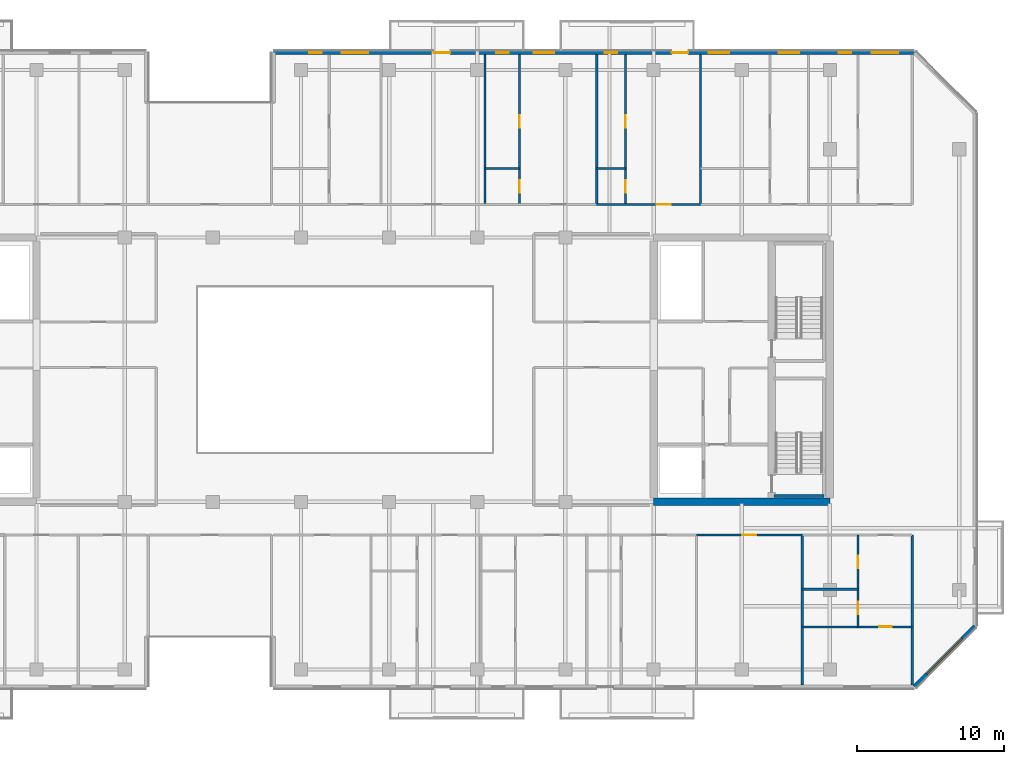
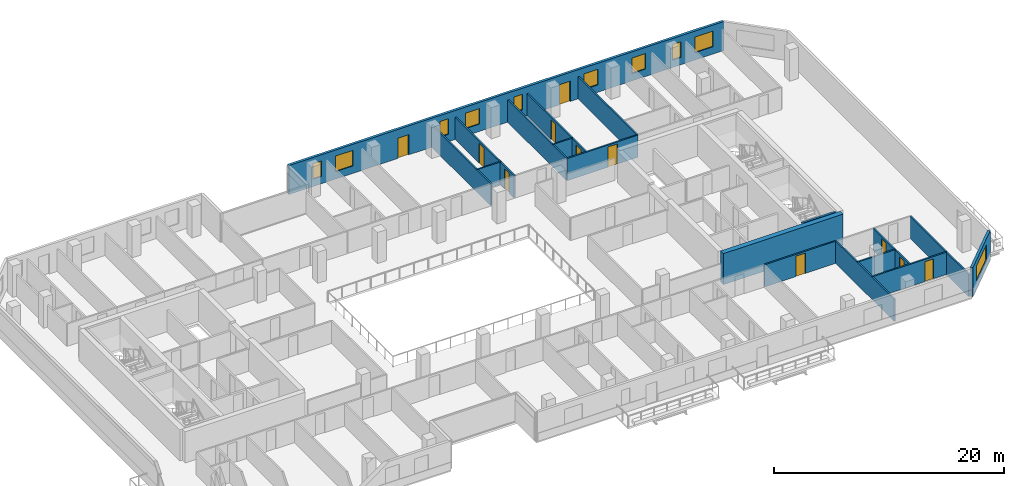
# One storey, part 13 of 19: 18 walls, 11 doors, 10 windows, 21 openings.
"""IFC4 building model written with IfcOpenShell, lengths in metres."""

import ifcopenshell
import ifcopenshell.guid

model = None  # the IFC model being written
_history = None  # IfcOwnerHistory: only IFC2X3 demands one
_inside = {}  # id of a spatial element -> (the spatial element, [elements in it])
_under = {}  # id of a project, library or spatial element -> (it, [spatial elements below it])
_declared = {}  # id of a project -> (the project, [libraries it declares])
_typed = {}  # id of a type object -> (the type object, [elements of that type])
_made_of = {}  # id of a material, layer set ... -> (it, [elements and type objects made of it])


def new_model(schema):
    """Start an empty IFC model of exactly this schema.

    Asked for "IFC4X3", IfcOpenShell would pick the latest addendum, in which some entities
    have other attributes; the version numbers below select the first issue.
    IFC2X3 requires an IfcOwnerHistory on every rooted entity: one is made here for all.
    """
    global model, _history
    if schema == "IFC4X3":
        model = ifcopenshell.file(schema_version=(4, 3, 0, 0))
    else:
        model = ifcopenshell.file(schema=schema)
    _inside.clear()
    _under.clear()
    _declared.clear()
    _typed.clear()
    _made_of.clear()
    _history = None
    if model.schema == "IFC2X3":
        org = make("IfcOrganization", Name="unknown")
        user = make(
            "IfcPersonAndOrganization",
            ThePerson=make("IfcPerson", FamilyName="unknown"),
            TheOrganization=org,
        )
        app = make(
            "IfcApplication",
            ApplicationDeveloper=org,
            Version="unknown",
            ApplicationFullName="unknown",
            ApplicationIdentifier="unknown",
        )
        _history = make(
            "IfcOwnerHistory",
            OwningUser=user,
            OwningApplication=app,
            ChangeAction="ADDED",
            CreationDate=0,
        )
    return model


def make(cls, **values):
    """One entity of the class cls with the attributes given. An attribute that is None is left unset."""
    return model.create_entity(
        cls, **{name: value for name, value in values.items() if value is not None}
    )


def rooted(cls, **values):
    """An entity with a GlobalId (a new one), such as an element, a storey or a relation."""
    return make(cls, GlobalId=ifcopenshell.guid.new(), OwnerHistory=_history, **values)


def si_unit(unit_type, name, prefix=None):
    """IfcSIUnit, for example si_unit("LENGTHUNIT", "METRE", prefix="MILLI")."""
    return make("IfcSIUnit", UnitType=unit_type, Prefix=prefix, Name=name)


def assignment(units):
    """IfcUnitAssignment: the units of a project."""
    return None if units is None else make("IfcUnitAssignment", Units=units)


def point(xyz):
    """IfcCartesianPoint."""
    return None if xyz is None else make("IfcCartesianPoint", Coordinates=xyz)


def direction(xyz):
    """IfcDirection."""
    return None if xyz is None else make("IfcDirection", DirectionRatios=xyz)


def frame(location, z_axis=None, x_axis=None):
    """IfcAxis2Placement3D, a coordinate frame: its origin and axes. An axis left out is left unset."""
    return make(
        "IfcAxis2Placement3D",
        Location=point(location),
        Axis=direction(z_axis),
        RefDirection=direction(x_axis),
    )


def frame_2d(location, x_axis=None):
    """IfcAxis2Placement2D, a coordinate frame in the plane: its origin and x axis."""
    return make(
        "IfcAxis2Placement2D", Location=point(location), RefDirection=direction(x_axis)
    )


def origin():
    """The frame at (0, 0, 0) with its axes left unset."""
    return frame((0.0, 0.0, 0.0))


def place(relative_to, where):
    """IfcLocalPlacement: puts the frame where relative to a parent placement (None: the world)."""
    return make(
        "IfcLocalPlacement", PlacementRelTo=relative_to, RelativePlacement=where
    )


def context(
    kind, dimensions, precision=None, world=None, true_north=None, identifier=None
):
    """IfcGeometricRepresentationContext, for example the 3D "Model" context."""
    return make(
        "IfcGeometricRepresentationContext",
        ContextIdentifier=identifier,
        ContextType=kind,
        CoordinateSpaceDimension=dimensions,
        Precision=precision,
        WorldCoordinateSystem=world,
        TrueNorth=true_north,
    )


def subcontext(parent, identifier, kind, view, scale=None):
    """IfcGeometricRepresentationSubContext, for example "Body" below "Model"."""
    return make(
        "IfcGeometricRepresentationSubContext",
        ContextIdentifier=identifier,
        ContextType=kind,
        ParentContext=parent,
        TargetScale=scale,
        TargetView=view,
    )


def project(units=None, contexts=None):
    """IfcProject with its units and contexts."""
    return rooted(
        "IfcProject",
        Name="project",
        RepresentationContexts=contexts,
        UnitsInContext=assignment(units),
    )


def spatial(cls, under=None, at=None, **own):
    """A site, building, storey or space (cls), placed at a placement, below another one or the project."""
    s = rooted(cls, ObjectPlacement=at, **own)
    if under is not None:
        _under.setdefault(under.id(), (under, []))[1].append(s)
    return s


def profile(cls, at=None, kind="AREA", **sizes):
    """A parametric profile (cls). Its sizes go by their IFC names, for example OverallWidth=200.0."""
    return make(cls, ProfileType=kind, Position=at, **sizes)


def rectangle(**sizes):
    """IfcRectangleProfileDef."""
    return profile("IfcRectangleProfileDef", **sizes)


def extrude(swept, where, along, depth):
    """IfcExtrudedAreaSolid: the profile swept, set in the frame where, extruded along a direction by depth."""
    return make(
        "IfcExtrudedAreaSolid",
        SweptArea=swept,
        Position=where,
        ExtrudedDirection=direction(along),
        Depth=depth,
    )


def shape(context_of_items, identifier, shape_type, items):
    """IfcShapeRepresentation: the items that make up one representation, for example the "Body"."""
    return make(
        "IfcShapeRepresentation",
        ContextOfItems=context_of_items,
        RepresentationIdentifier=identifier,
        RepresentationType=shape_type,
        Items=items,
    )


def material(Name=None, Category=None):
    """IfcMaterial."""
    return make("IfcMaterial", Name=Name, Category=Category)


def layer(
    of_material, thickness, ventilated=None, Name=None, Category=None, Priority=None
):
    """IfcMaterialLayer: one layer of a wall or slab, of a material (None: an air gap)."""
    return make(
        "IfcMaterialLayer",
        Material=of_material,
        LayerThickness=thickness,
        IsVentilated=ventilated,
        Name=Name,
        Category=Category,
        Priority=Priority,
    )


def layer_set(layers, Name=None):
    """IfcMaterialLayerSet."""
    return make("IfcMaterialLayerSet", MaterialLayers=layers, LayerSetName=Name)


def made_of(thing, what):
    """Note that an element or type object is made of a material, layer set ...; save() writes the relation."""
    if what is not None:
        _made_of.setdefault(what.id(), (what, []))[1].append(thing)
    return thing


def type_object(cls, material=None, **own):
    """A type object (cls), such as IfcWallType, which elements share."""
    return made_of(rooted(cls, **own), material)


def element(
    cls,
    number,
    at=None,
    inside=None,
    cuts=None,
    type_object=None,
    material=None,
    context=None,
    identifier="Body",
    shape_type=None,
    held_by="IfcProductDefinitionShape",
    body=None,
    shapes=None,
    **own,
):
    """One element of the class cls, such as IfcWall. Its Tag is "e" and its number.

    at: its placement. inside: the storey or other place that contains it. cuts: it is an
    opening in that element (IfcRelVoidsElement). A single representation is given by context,
    identifier, shape_type and body (its items); several are given by shapes. held_by: the class
    of the entity that holds the representations. save() writes the other relations.
    """
    e = rooted(cls, Tag="e%d" % number, ObjectPlacement=at, **own)
    if body is not None:
        shapes = [shape(context, identifier, shape_type, body)]
    if shapes is not None:
        e.Representation = make(held_by, Representations=shapes)
    if inside is not None:
        _inside.setdefault(inside.id(), (inside, []))[1].append(e)
    if cuts is not None:
        rooted(
            "IfcRelVoidsElement", RelatingBuildingElement=cuts, RelatedOpeningElement=e
        )
    if type_object is not None:
        _typed.setdefault(type_object.id(), (type_object, []))[1].append(e)
    return made_of(e, material)


def fill(opening, filler):
    """IfcRelFillsElement: the door or window that sits in an opening."""
    return rooted(
        "IfcRelFillsElement",
        RelatingOpeningElement=opening,
        RelatedBuildingElement=filler,
    )


def aggregate(whole, parts):
    """IfcRelAggregates: a whole, such as a stair, and the parts it consists of."""
    return rooted("IfcRelAggregates", RelatingObject=whole, RelatedObjects=parts)


def save(model, path):
    """Write the relations noted so far, then the file.

    IfcRelAggregates (storeys below a building ...), IfcRelContainedInSpatialStructure (elements
    in a storey), IfcRelDefinesByType, IfcRelAssociatesMaterial and IfcRelDeclares: one each for
    every whole, place, type object, material and project.
    """
    for whole, parts in _under.values():
        aggregate(whole, parts)
    for where, things in _inside.values():
        rooted(
            "IfcRelContainedInSpatialStructure",
            RelatedElements=things,
            RelatingStructure=where,
        )
    for kind, things in _typed.values():
        rooted("IfcRelDefinesByType", RelatedObjects=things, RelatingType=kind)
    for what, things in _made_of.values():
        rooted("IfcRelAssociatesMaterial", RelatedObjects=things, RelatingMaterial=what)
    for by, libraries in _declared.values():
        rooted("IfcRelDeclares", RelatingContext=by, RelatedDefinitions=libraries)
    model.write(path)


model = new_model("IFC4")

# Units and contexts
model_context = context("Model", 3, precision=1e-05, world=origin(), true_north=direction((0.0, 1.0)))
body_context = subcontext(model_context, "Body", "Model", "MODEL_VIEW")
ifc_project = project(units=[si_unit("LENGTHUNIT", "METRE"), si_unit("AREAUNIT", "SQUARE_METRE"), si_unit("VOLUMEUNIT", "CUBIC_METRE"), si_unit("PLANEANGLEUNIT", "RADIAN"), si_unit("MASSUNIT", "GRAM", prefix="KILO")], contexts=[model_context])

# Site, building, storey
site_placement = place(None, origin())
site = spatial("IfcSite", under=ifc_project, at=site_placement, CompositionType="ELEMENT")
building_placement = place(site_placement, origin())
building = spatial("IfcBuilding", under=site, at=building_placement, Name="Tanjung Sevakor Pilgrim Tower", CompositionType="ELEMENT")
storey_placement = place(building_placement, frame((0.0, 0.0, 138.60009765625)))
storey = spatial("IfcBuildingStorey", under=building, at=storey_placement, Name="L38", CompositionType="ELEMENT", Elevation=138.60009765625)

# Walls
ifc_material_1 = material(Name="Concrete C60/75", Category="concrete")
ifc_layer_1 = layer(ifc_material_1, 0.5)
ifc_layer_set_1 = layer_set([ifc_layer_1], Name="WALL-CW-500")
wall_type_1 = type_object("IfcWallType", Name="WALL-CW-500", PredefinedType="SHEAR", material=ifc_layer_set_1)
wall_1_placement = place(storey_placement, frame((78.0, 24.60009765625, 0.0), z_axis=(0.0, 0.0, 1.0), x_axis=(1.0, 0.0, 0.0)))
element("IfcWall", 1, at=wall_1_placement, inside=storey, type_object=wall_type_1, Name="L38 E Core South Shear Wall", PredefinedType="SHEAR", context=body_context, shape_type="SweptSolid", body=[
    extrude(rectangle(XDim=12.0, YDim=0.5, at=frame_2d((6.0, 0.0))), origin(), (0.0, 0.0, 1.0), 3.2998046875),
])
ifc_material_2 = material(Name="Concrete C40/50", Category="concrete")
ifc_layer_2 = layer(ifc_material_2, 0.14990234375)
ifc_layer_set_2 = layer_set([ifc_layer_2], Name="WT-COMP-150")
wall_type_2 = type_object("IfcWallType", Name="WT-COMP-150", PredefinedType="SOLIDWALL", material=ifc_layer_set_2)
for number, where, z_axis, x_axis, name in (
    (2, (95.60009765625, 12.14990234375, 0.0), (0.0, 0.0, 1.0), (0.0, 1.0, 0.0), "L38 Partition IW-L38-047"),
    (3, (88.12255859375, 12.14990234375, 0.0), (0.0, 0.0, 1.0), (0.0, 1.0, 0.0), "L38 Partition IW-L38-062"),
):
    element("IfcWall", number, at=place(storey_placement, frame(where, z_axis=z_axis, x_axis=x_axis)), inside=storey, type_object=wall_type_2, Name=name, PredefinedType="SOLIDWALL", context=body_context, shape_type="SweptSolid", body=[
        extrude(rectangle(XDim=10.2001953125, YDim=0.14990234375, at=frame_2d((5.10009765625, 0.0))), origin(), (0.0, 0.0, 1.0), 2.35009765625),
    ])

# Wall, opening, door
wall_2_placement = place(storey_placement, frame((80.922119140625, 22.35009765625, 0.0), z_axis=(0.0, 0.0, 1.0), x_axis=(1.0, 0.0, 0.0)))
wall_2 = element("IfcWall", 4, at=wall_2_placement, inside=storey, type_object=wall_type_2, Name="L38 Partition IW-L38-063", PredefinedType="SOLIDWALL", context=body_context, shape_type="SweptSolid", body=[
    extrude(rectangle(XDim=7.200439453125, YDim=0.14990234375, at=frame_2d((3.60009765625, 0.0))), origin(), (0.0, 0.0, 1.0), 2.35009765625),
])
opening_1_placement = place(wall_2_placement, frame((3.125244140625, 0.0, 0.0)))
opening_1 = element("IfcOpeningElement", 5, at=opening_1_placement, cuts=wall_2, Name="Opening ID-FD2", PredefinedType="OPENING", context=body_context, shape_type="SweptSolid", body=[
    extrude(rectangle(XDim=0.949951171875, YDim=2.14990234375, at=frame_2d((0.47509765625, 1.074951171875))), frame((0.0, 0.0849609375, 0.0), z_axis=(0.0, -1.0, 0.0), x_axis=(1.0, 0.0, 0.0)), (0.0, 0.0, 1.0), 0.169921875),
])
ifc_material_3 = material(Name="Fire-Rated Timber", Category="wood")
door_type_1 = type_object("IfcDoorType", Name="DT-FIRE-950", OperationType="NOTDEFINED", PredefinedType="DOOR", material=ifc_material_3)
door_1_placement = place(opening_1_placement, origin())
door_1 = element("IfcDoor", 6, at=door_1_placement, inside=storey, type_object=door_type_1, Name="Study Room Entrance", OperationType="SINGLE_SWING_LEFT", OverallHeight=2.14990234375, OverallWidth=0.949951171875, PredefinedType="DOOR", context=body_context, shape_type="SweptSolid", body=[
    extrude(rectangle(XDim=0.949951171875, YDim=2.14990234375, at=frame_2d((0.47509765625, 1.074951171875))), frame((0.0, 0.02490234375, 0.0), z_axis=(0.0, -1.0, 0.0), x_axis=(1.0, 0.0, 0.0)), (0.0, 0.0, 1.0), 0.050048828125),
])
fill(opening_1, door_1)

# Walls
for number, where, z_axis, x_axis, name in (
    (7, (66.522705078125, 44.85009765625, 0.0), (0.0, 0.0, 1.0), (0.0, 1.0, 0.0), "L38 Partition IW-L38-083"),
    (8, (74.131591796875, 44.85009765625, 0.0), (0.0, 0.0, 1.0), (0.0, 1.0, 0.0), "L38 Partition IW-L38-085"),
    (9, (81.197265625, 44.85009765625, 0.0), (0.0, 0.0, 1.0), (0.0, 1.0, 0.0), "L38 Partition IW-L38-089"),
):
    element("IfcWall", number, at=place(storey_placement, frame(where, z_axis=z_axis, x_axis=x_axis)), inside=storey, type_object=wall_type_2, Name=name, PredefinedType="SOLIDWALL", context=body_context, shape_type="SweptSolid", body=[
        extrude(rectangle(XDim=10.199951171875, YDim=0.14990234375, at=frame_2d((5.10009765625, 0.0))), origin(), (0.0, 0.0, 1.0), 2.35009765625),
    ])

# Wall, opening, door
wall_3_placement = place(storey_placement, frame((74.131591796875, 44.85009765625, 0.0), z_axis=(0.0, 0.0, 1.0), x_axis=(1.0, 0.0, 0.0)))
wall_3 = element("IfcWall", 10, at=wall_3_placement, inside=storey, type_object=wall_type_2, Name="L38 Partition IW-L38-092", PredefinedType="SOLIDWALL", context=body_context, shape_type="SweptSolid", body=[
    extrude(rectangle(XDim=7.065673828125, YDim=0.14990234375, at=frame_2d((3.53271484375, 0.0))), origin(), (0.0, 0.0, 1.0), 2.35009765625),
])
opening_2_placement = place(wall_3_placement, frame((4.072021484375, 0.0, 0.0)))
opening_2 = element("IfcOpeningElement", 11, at=opening_2_placement, cuts=wall_3, Name="Opening ID-FD2", PredefinedType="OPENING", context=body_context, shape_type="SweptSolid", body=[
    extrude(rectangle(XDim=0.949951171875, YDim=2.14990234375, at=frame_2d((0.47509765625, 1.074951171875))), frame((0.0, 0.0849609375, 0.0), z_axis=(0.0, -1.0, 0.0), x_axis=(1.0, 0.0, 0.0)), (0.0, 0.0, 1.0), 0.169921875),
])
door_2_placement = place(opening_2_placement, origin())
door_2 = element("IfcDoor", 12, at=door_2_placement, inside=storey, type_object=door_type_1, Name="Hostel Quad Entrance", OperationType="SINGLE_SWING_LEFT", OverallHeight=2.14990234375, OverallWidth=0.949951171875, PredefinedType="DOOR", context=body_context, shape_type="SweptSolid", body=[
    extrude(rectangle(XDim=0.949951171875, YDim=2.14990234375, at=frame_2d((0.47509765625, 1.074951171875))), frame((0.0, 0.02490234375, 0.0), z_axis=(0.0, -1.0, 0.0), x_axis=(1.0, 0.0, 0.0)), (0.0, 0.0, 1.0), 0.050048828125),
])
fill(opening_2, door_2)

# Wall, opening, window
ifc_material_4 = material(Name="Precast concrete C45/55", Category="concrete")
ifc_layer_3 = layer(ifc_material_4, 0.25)
ifc_layer_set_3 = layer_set([ifc_layer_3], Name="WT-EW-STN3")
wall_type_3 = type_object("IfcWallType", Name="WT-EW-STN3", PredefinedType="SOLIDWALL", material=ifc_layer_set_3)
wall_4_placement = place(storey_placement, frame((95.748291015625, 12.02490234375, 0.0), z_axis=(0.0, 0.0, 1.0), x_axis=(0.70708586489, 0.707127696864, 0.0)))
wall_4 = element("IfcWall", 13, at=wall_4_placement, inside=storey, type_object=wall_type_3, Name="L38 MAIN Sculpted Corner Wall 5", PredefinedType="SOLIDWALL", context=body_context, shape_type="SweptSolid", body=[
    extrude(rectangle(XDim=5.836181640625, YDim=0.25, at=frame_2d((2.91796875, 0.0))), origin(), (0.0, 0.0, 1.0), 3.080078125),
])
opening_3_placement = place(wall_4_placement, frame((1.218017578125, 0.0, 0.780029296875)))
opening_3 = element("IfcOpeningElement", 14, at=opening_3_placement, cuts=wall_4, Name="Opening WN-CHM-1660", PredefinedType="OPENING", context=body_context, shape_type="SweptSolid", body=[
    extrude(rectangle(XDim=3.39990234375, YDim=1.659912109375, at=frame_2d((1.699951171875, 0.830078125))), frame((0.0, 0.135009765625, 0.0), z_axis=(0.0, -1.0, 0.0), x_axis=(1.0, 0.0, 0.0)), (0.0, 0.0, 1.0), 0.27001953125),
])
ifc_material_5 = material(Name="Thermally Broken Aluminium and Low-E Glass", Category="aluminium")
window_type_1 = type_object("IfcWindowType", Name="WTYP-WN-CHM-1660", PartitioningType="DOUBLE_PANEL_VERTICAL", PredefinedType="WINDOW", material=ifc_material_5)
window_1_placement = place(opening_3_placement, origin())
window_1 = element("IfcWindow", 15, at=window_1_placement, inside=storey, type_object=window_type_1, Name="L38 Facade Window 01", OverallHeight=1.659912109375, OverallWidth=3.39990234375, PartitioningType="SINGLE_PANEL", PredefinedType="WINDOW", context=body_context, shape_type="SweptSolid", body=[
    extrude(rectangle(XDim=3.39990234375, YDim=1.659912109375, at=frame_2d((1.699951171875, 0.830078125))), frame((0.0, 0.030029296875, 0.0), z_axis=(0.0, -1.0, 0.0), x_axis=(1.0, 0.0, 0.0)), (0.0, 0.0, 1.0), 0.06005859375),
])
fill(opening_3, window_1)

# Wall, openings, doors, windows
wall_5_placement = place(storey_placement, frame((95.748291015625, 55.175048828125, 0.0), z_axis=(0.0, 0.0, 1.0), x_axis=(-1.0, 0.0, 0.0)))
wall_5 = element("IfcWall", 16, at=wall_5_placement, inside=storey, type_object=wall_type_3, Name="L38 MAIN Exterior Wall 9", PredefinedType="SOLIDWALL", context=body_context, shape_type="SweptSolid", body=[
    extrude(rectangle(XDim=43.623291015625, YDim=0.25, at=frame_2d((21.8115234375, 0.0))), origin(), (0.0, 0.0, 1.0), 3.080078125),
])
opening_4_placement = place(wall_5_placement, frame((31.59814453125, 0.0, 0.0)))
opening_4 = element("IfcOpeningElement", 17, at=opening_4_placement, cuts=wall_5, Name="Opening ED-BAL-1100", PredefinedType="OPENING", context=body_context, shape_type="SweptSolid", body=[
    extrude(rectangle(XDim=1.10009765625, YDim=2.14990234375, at=frame_2d((0.550048828125, 1.074951171875))), frame((0.0, 0.135009765625, 0.0), z_axis=(0.0, -1.0, 0.0), x_axis=(1.0, 0.0, 0.0)), (0.0, 0.0, 1.0), 0.27001953125),
])
opening_5_placement = place(wall_5_placement, frame((15.398193359375, 0.0, 0.0)))
opening_5 = element("IfcOpeningElement", 18, at=opening_5_placement, cuts=wall_5, Name="Opening ED-BAL-1100", PredefinedType="OPENING", context=body_context, shape_type="SweptSolid", body=[
    extrude(rectangle(XDim=1.10009765625, YDim=2.14990234375, at=frame_2d((0.550048828125, 1.074951171875))), frame((0.0, 0.135009765625, 0.0), z_axis=(0.0, -1.0, 0.0), x_axis=(1.0, 0.0, 0.0)), (0.0, 0.0, 1.0), 0.27001953125),
])
opening_6_placement = place(wall_5_placement, frame((40.333251953125, 0.0, 0.780029296875)))
opening_6 = element("IfcOpeningElement", 19, at=opening_6_placement, cuts=wall_5, Name="Opening WN-SLM", PredefinedType="OPENING", context=body_context, shape_type="SweptSolid", body=[
    extrude(rectangle(XDim=0.85009765625, YDim=1.64990234375, at=frame_2d((0.425048828125, 0.824951171875))), frame((0.0, 0.135009765625, 0.0), z_axis=(0.0, -1.0, 0.0), x_axis=(1.0, 0.0, 0.0)), (0.0, 0.0, 1.0), 0.27001953125),
])
opening_7_placement = place(wall_5_placement, frame((37.169677734375, 0.0, 0.780029296875)))
opening_7 = element("IfcOpeningElement", 20, at=opening_7_placement, cuts=wall_5, Name="Opening WN-Z3-1660", PredefinedType="OPENING", context=body_context, shape_type="SweptSolid", body=[
    extrude(rectangle(XDim=1.800048828125, YDim=1.659912109375, at=frame_2d((0.89990234375, 0.830078125))), frame((0.0, 0.135009765625, 0.0), z_axis=(0.0, -1.0, 0.0), x_axis=(1.0, 0.0, 0.0)), (0.0, 0.0, 1.0), 0.27001953125),
])
opening_8_placement = place(wall_5_placement, frame((27.615478515625, 0.0, 0.780029296875)))
opening_8 = element("IfcOpeningElement", 21, at=opening_8_placement, cuts=wall_5, Name="Opening WN-SLM", PredefinedType="OPENING", context=body_context, shape_type="SweptSolid", body=[
    extrude(rectangle(XDim=0.85009765625, YDim=1.64990234375, at=frame_2d((0.425048828125, 0.824951171875))), frame((0.0, 0.135009765625, 0.0), z_axis=(0.0, -1.0, 0.0), x_axis=(1.0, 0.0, 0.0)), (0.0, 0.0, 1.0), 0.27001953125),
])
opening_9_placement = place(wall_5_placement, frame((24.51611328125, 0.0, 0.780029296875)))
opening_9 = element("IfcOpeningElement", 22, at=opening_9_placement, cuts=wall_5, Name="Opening WN-END", PredefinedType="OPENING", context=body_context, shape_type="SweptSolid", body=[
    extrude(rectangle(XDim=1.39990234375, YDim=1.64990234375, at=frame_2d((0.699951171875, 0.824951171875))), frame((0.0, 0.135009765625, 0.0), z_axis=(0.0, -1.0, 0.0), x_axis=(1.0, 0.0, 0.0)), (0.0, 0.0, 1.0), 0.27001953125),
])
opening_10_placement = place(wall_5_placement, frame((20.20751953125, 0.0, 0.780029296875)))
opening_10 = element("IfcOpeningElement", 23, at=opening_10_placement, cuts=wall_5, Name="Opening WN-SLM", PredefinedType="OPENING", context=body_context, shape_type="SweptSolid", body=[
    extrude(rectangle(XDim=0.85009765625, YDim=1.64990234375, at=frame_2d((0.425048828125, 0.824951171875))), frame((0.0, 0.135009765625, 0.0), z_axis=(0.0, -1.0, 0.0), x_axis=(1.0, 0.0, 0.0)), (0.0, 0.0, 1.0), 0.27001953125),
])
opening_11_placement = place(wall_5_placement, frame((12.599609375, 0.0, 0.780029296875)))
opening_11 = element("IfcOpeningElement", 24, at=opening_11_placement, cuts=wall_5, Name="Opening WN-END", PredefinedType="OPENING", context=body_context, shape_type="SweptSolid", body=[
    extrude(rectangle(XDim=1.39990234375, YDim=1.64990234375, at=frame_2d((0.699951171875, 0.824951171875))), frame((0.0, 0.135009765625, 0.0), z_axis=(0.0, -1.0, 0.0), x_axis=(1.0, 0.0, 0.0)), (0.0, 0.0, 1.0), 0.27001953125),
])
opening_12_placement = place(wall_5_placement, frame((7.8310546875, 0.0, 0.780029296875)))
opening_12 = element("IfcOpeningElement", 25, at=opening_12_placement, cuts=wall_5, Name="Opening WN-END", PredefinedType="OPENING", context=body_context, shape_type="SweptSolid", body=[
    extrude(rectangle(XDim=1.39990234375, YDim=1.64990234375, at=frame_2d((0.699951171875, 0.824951171875))), frame((0.0, 0.135009765625, 0.0), z_axis=(0.0, -1.0, 0.0), x_axis=(1.0, 0.0, 0.0)), (0.0, 0.0, 1.0), 0.27001953125),
])
opening_13_placement = place(wall_5_placement, frame((4.285888671875, 0.0, 0.780029296875)))
opening_13 = element("IfcOpeningElement", 26, at=opening_13_placement, cuts=wall_5, Name="Opening WN-SLM", PredefinedType="OPENING", context=body_context, shape_type="SweptSolid", body=[
    extrude(rectangle(XDim=0.85009765625, YDim=1.64990234375, at=frame_2d((0.425048828125, 0.824951171875))), frame((0.0, 0.135009765625, 0.0), z_axis=(0.0, -1.0, 0.0), x_axis=(1.0, 0.0, 0.0)), (0.0, 0.0, 1.0), 0.27001953125),
])
opening_14_placement = place(wall_5_placement, frame((1.09814453125, 0.0, 0.780029296875)))
opening_14 = element("IfcOpeningElement", 27, at=opening_14_placement, cuts=wall_5, Name="Opening WN-Z3-1660", PredefinedType="OPENING", context=body_context, shape_type="SweptSolid", body=[
    extrude(rectangle(XDim=1.800048828125, YDim=1.659912109375, at=frame_2d((0.89990234375, 0.830078125))), frame((0.0, 0.135009765625, 0.0), z_axis=(0.0, -1.0, 0.0), x_axis=(1.0, 0.0, 0.0)), (0.0, 0.0, 1.0), 0.27001953125),
])
ifc_material_6 = material(Name="Anodised Aluminium and Laminated Glass", Category="aluminium")
door_type_2 = type_object("IfcDoorType", Name="DTYP-ED-BAL-1100", OperationType="NOTDEFINED", PredefinedType="DOOR", material=ifc_material_6)
door_3_placement = place(opening_4_placement, frame((1.10009765625, 0.0, 0.0), z_axis=(0.0, 0.0, 1.0), x_axis=(-1.0, 0.0, 0.0)))
door_3 = element("IfcDoor", 28, at=door_3_placement, inside=storey, type_object=door_type_2, Name="L38 Balcony Door MAIN-N2", OperationType="SINGLE_SWING_RIGHT", OverallHeight=2.14990234375, OverallWidth=1.10009765625, PredefinedType="DOOR", context=body_context, shape_type="SweptSolid", body=[
    extrude(rectangle(XDim=1.10009765625, YDim=2.14990234375, at=frame_2d((0.550048828125, 1.074951171875))), frame((0.0, 0.02490234375, 0.0), z_axis=(0.0, -1.0, 0.0), x_axis=(1.0, 0.0, 0.0)), (0.0, 0.0, 1.0), 0.050048828125),
])
fill(opening_4, door_3)
door_4_placement = place(opening_5_placement, frame((1.10009765625, 0.0, 0.0), z_axis=(0.0, 0.0, 1.0), x_axis=(-1.0, 0.0, 0.0)))
door_4 = element("IfcDoor", 29, at=door_4_placement, inside=storey, type_object=door_type_2, Name="L38 Balcony Door MAIN-N3", OperationType="SINGLE_SWING_LEFT", OverallHeight=2.14990234375, OverallWidth=1.10009765625, PredefinedType="DOOR", context=body_context, shape_type="SweptSolid", body=[
    extrude(rectangle(XDim=1.10009765625, YDim=2.14990234375, at=frame_2d((0.550048828125, 1.074951171875))), frame((0.0, 0.02490234375, 0.0), z_axis=(0.0, -1.0, 0.0), x_axis=(1.0, 0.0, 0.0)), (0.0, 0.0, 1.0), 0.050048828125),
])
fill(opening_5, door_4)
ifc_material_7 = material(Name="Thermally Broken Aluminium and Low-E Glass", Category="aluminium")
window_type_2 = type_object("IfcWindowType", Name="WTYP-WN-END", PartitioningType="SINGLE_PANEL", PredefinedType="WINDOW", material=ifc_material_7)
window_2_placement = place(opening_9_placement, origin())
window_2 = element("IfcWindow", 30, at=window_2_placement, inside=storey, type_object=window_type_2, Name="L38 Facade Window 04", OverallHeight=1.64990234375, OverallWidth=1.39990234375, PartitioningType="SINGLE_PANEL", PredefinedType="WINDOW", context=body_context, shape_type="SweptSolid", body=[
    extrude(rectangle(XDim=1.39990234375, YDim=1.64990234375, at=frame_2d((0.699951171875, 0.824951171875))), frame((0.0, 0.030029296875, 0.0), z_axis=(0.0, -1.0, 0.0), x_axis=(1.0, 0.0, 0.0)), (0.0, 0.0, 1.0), 0.06005859375),
])
fill(opening_9, window_2)
window_3_placement = place(opening_11_placement, origin())
window_3 = element("IfcWindow", 31, at=window_3_placement, inside=storey, type_object=window_type_2, Name="L38 Facade Window 06", OverallHeight=1.64990234375, OverallWidth=1.39990234375, PartitioningType="SINGLE_PANEL", PredefinedType="WINDOW", context=body_context, shape_type="SweptSolid", body=[
    extrude(rectangle(XDim=1.39990234375, YDim=1.64990234375, at=frame_2d((0.699951171875, 0.824951171875))), frame((0.0, 0.030029296875, 0.0), z_axis=(0.0, -1.0, 0.0), x_axis=(1.0, 0.0, 0.0)), (0.0, 0.0, 1.0), 0.06005859375),
])
fill(opening_11, window_3)
window_4_placement = place(opening_12_placement, origin())
window_4 = element("IfcWindow", 32, at=window_4_placement, inside=storey, type_object=window_type_2, Name="L38 Facade Window 07", OverallHeight=1.64990234375, OverallWidth=1.39990234375, PartitioningType="SINGLE_PANEL", PredefinedType="WINDOW", context=body_context, shape_type="SweptSolid", body=[
    extrude(rectangle(XDim=1.39990234375, YDim=1.64990234375, at=frame_2d((0.699951171875, 0.824951171875))), frame((0.0, 0.030029296875, 0.0), z_axis=(0.0, -1.0, 0.0), x_axis=(1.0, 0.0, 0.0)), (0.0, 0.0, 1.0), 0.06005859375),
])
fill(opening_12, window_4)
ifc_material_8 = material(Name="Thermally Broken Aluminium and Low-E Glass", Category="aluminium")
window_type_3 = type_object("IfcWindowType", Name="WTYP-WN-SLM", PartitioningType="SINGLE_PANEL", PredefinedType="WINDOW", material=ifc_material_8)
window_5_placement = place(opening_6_placement, origin())
window_5 = element("IfcWindow", 33, at=window_5_placement, inside=storey, type_object=window_type_3, Name="L38 Facade Window 01", OverallHeight=1.64990234375, OverallWidth=0.85009765625, PartitioningType="SINGLE_PANEL", PredefinedType="WINDOW", context=body_context, shape_type="SweptSolid", body=[
    extrude(rectangle(XDim=0.85009765625, YDim=1.64990234375, at=frame_2d((0.425048828125, 0.824951171875))), frame((0.0, 0.030029296875, 0.0), z_axis=(0.0, -1.0, 0.0), x_axis=(1.0, 0.0, 0.0)), (0.0, 0.0, 1.0), 0.06005859375),
])
fill(opening_6, window_5)
window_6_placement = place(opening_8_placement, origin())
window_6 = element("IfcWindow", 34, at=window_6_placement, inside=storey, type_object=window_type_3, Name="L38 Facade Window 03", OverallHeight=1.64990234375, OverallWidth=0.85009765625, PartitioningType="SINGLE_PANEL", PredefinedType="WINDOW", context=body_context, shape_type="SweptSolid", body=[
    extrude(rectangle(XDim=0.85009765625, YDim=1.64990234375, at=frame_2d((0.425048828125, 0.824951171875))), frame((0.0, 0.030029296875, 0.0), z_axis=(0.0, -1.0, 0.0), x_axis=(1.0, 0.0, 0.0)), (0.0, 0.0, 1.0), 0.06005859375),
])
fill(opening_8, window_6)
window_7_placement = place(opening_10_placement, origin())
window_7 = element("IfcWindow", 35, at=window_7_placement, inside=storey, type_object=window_type_3, Name="L38 Facade Window 05", OverallHeight=1.64990234375, OverallWidth=0.85009765625, PartitioningType="SINGLE_PANEL", PredefinedType="WINDOW", context=body_context, shape_type="SweptSolid", body=[
    extrude(rectangle(XDim=0.85009765625, YDim=1.64990234375, at=frame_2d((0.425048828125, 0.824951171875))), frame((0.0, 0.030029296875, 0.0), z_axis=(0.0, -1.0, 0.0), x_axis=(1.0, 0.0, 0.0)), (0.0, 0.0, 1.0), 0.06005859375),
])
fill(opening_10, window_7)
window_8_placement = place(opening_13_placement, origin())
window_8 = element("IfcWindow", 36, at=window_8_placement, inside=storey, type_object=window_type_3, Name="L38 Facade Window 08", OverallHeight=1.64990234375, OverallWidth=0.85009765625, PartitioningType="SINGLE_PANEL", PredefinedType="WINDOW", context=body_context, shape_type="SweptSolid", body=[
    extrude(rectangle(XDim=0.85009765625, YDim=1.64990234375, at=frame_2d((0.425048828125, 0.824951171875))), frame((0.0, 0.030029296875, 0.0), z_axis=(0.0, -1.0, 0.0), x_axis=(1.0, 0.0, 0.0)), (0.0, 0.0, 1.0), 0.06005859375),
])
fill(opening_13, window_8)
ifc_material_9 = material(Name="Thermally Broken Aluminium and Low-E Glass", Category="aluminium")
window_type_4 = type_object("IfcWindowType", Name="WTYP-WN-Z3-1660", PartitioningType="DOUBLE_PANEL_VERTICAL", PredefinedType="WINDOW", material=ifc_material_9)
window_9_placement = place(opening_7_placement, origin())
window_9 = element("IfcWindow", 37, at=window_9_placement, inside=storey, type_object=window_type_4, Name="L38 Facade Window 02", OverallHeight=1.659912109375, OverallWidth=1.800048828125, PartitioningType="SINGLE_PANEL", PredefinedType="WINDOW", context=body_context, shape_type="SweptSolid", body=[
    extrude(rectangle(XDim=1.800048828125, YDim=1.659912109375, at=frame_2d((0.89990234375, 0.830078125))), frame((0.0, 0.030029296875, 0.0), z_axis=(0.0, -1.0, 0.0), x_axis=(1.0, 0.0, 0.0)), (0.0, 0.0, 1.0), 0.06005859375),
])
fill(opening_7, window_9)
window_10_placement = place(opening_14_placement, origin())
window_10 = element("IfcWindow", 38, at=window_10_placement, inside=storey, type_object=window_type_4, Name="L38 Facade Window 09", OverallHeight=1.659912109375, OverallWidth=1.800048828125, PartitioningType="SINGLE_PANEL", PredefinedType="WINDOW", context=body_context, shape_type="SweptSolid", body=[
    extrude(rectangle(XDim=1.800048828125, YDim=1.659912109375, at=frame_2d((0.89990234375, 0.830078125))), frame((0.0, 0.030029296875, 0.0), z_axis=(0.0, -1.0, 0.0), x_axis=(1.0, 0.0, 0.0)), (0.0, 0.0, 1.0), 0.06005859375),
])
fill(opening_14, window_10)

# Walls
ifc_material_10 = material(Name="Concrete C40/50", Category="concrete")
ifc_layer_4 = layer(ifc_material_10, 0.199951171875)
ifc_layer_set_4 = layer_set([ifc_layer_4], Name="WT-FIRE-200")
wall_type_4 = type_object("IfcWallType", Name="WT-FIRE-200", PredefinedType="SOLIDWALL", material=ifc_layer_set_4)
wall_6_placement = place(storey_placement, frame((86.199951171875, 25.0, 0.0), z_axis=(0.0, 0.0, 1.0), x_axis=(1.0, 0.0, 0.0)))
element("IfcWall", 39, at=wall_6_placement, inside=storey, type_object=wall_type_4, Name="L38 TS-E1 Shaft Wall 1", PredefinedType="SOLIDWALL", context=body_context, shape_type="SweptSolid", body=[
    extrude(rectangle(XDim=3.400146484375, YDim=0.199951171875, at=frame_2d((1.7001953125, 0.0))), origin(), (0.0, 0.0, 1.0), 3.2998046875),
])
ifc_material_11 = material(Name="Gypsum Board Partition", Category="gypsum board")
ifc_layer_5 = layer(ifc_material_11, 0.14990234375)
ifc_layer_set_5 = layer_set([ifc_layer_5], Name="WT-PART-150")
wall_type_5 = type_object("IfcWallType", Name="WT-PART-150", PredefinedType="PARTITIONING", material=ifc_layer_set_5)
wall_7_placement = place(storey_placement, frame((88.12255859375, 18.65966796875, 0.0), z_axis=(0.0, 0.0, 1.0), x_axis=(1.0, 0.0, 0.0)))
element("IfcWall", 40, at=wall_7_placement, inside=storey, type_object=wall_type_5, Name="L38 Partition IW-L38-064", PredefinedType="PARTITIONING", context=body_context, shape_type="SweptSolid", body=[
    extrude(rectangle(XDim=3.79736328125, YDim=0.14990234375, at=frame_2d((1.898681640625, 0.0))), origin(), (0.0, 0.0, 1.0), 2.35009765625),
])

# Wall, openings, doors
wall_8_placement = place(storey_placement, frame((91.919921875, 16.09521484375, 0.0), z_axis=(0.0, 0.0, 1.0), x_axis=(0.0, 1.0, 0.0)))
wall_8 = element("IfcWall", 41, at=wall_8_placement, inside=storey, type_object=wall_type_5, Name="L38 Partition IW-L38-065", PredefinedType="PARTITIONING", context=body_context, shape_type="SweptSolid", body=[
    extrude(rectangle(XDim=6.2548828125, YDim=0.14990234375, at=frame_2d((3.12744140625, 0.0))), origin(), (0.0, 0.0, 1.0), 2.35009765625),
])
opening_15_placement = place(wall_8_placement, frame((0.857421875, 0.0, 0.0)))
opening_15 = element("IfcOpeningElement", 42, at=opening_15_placement, cuts=wall_8, Name="Opening ID-WC1", PredefinedType="OPENING", context=body_context, shape_type="SweptSolid", body=[
    extrude(rectangle(XDim=0.85009765625, YDim=2.10009765625, at=frame_2d((0.425048828125, 1.050048828125))), frame((0.0, 0.0849609375, 0.0), z_axis=(0.0, -1.0, 0.0), x_axis=(1.0, 0.0, 0.0)), (0.0, 0.0, 1.0), 0.169921875),
])
opening_16_placement = place(wall_8_placement, frame((3.984619140625, 0.0, 0.0)))
opening_16 = element("IfcOpeningElement", 43, at=opening_16_placement, cuts=wall_8, Name="Opening ID-WC1", PredefinedType="OPENING", context=body_context, shape_type="SweptSolid", body=[
    extrude(rectangle(XDim=0.85009765625, YDim=2.10009765625, at=frame_2d((0.425048828125, 1.050048828125))), frame((0.0, 0.0849609375, 0.0), z_axis=(0.0, -1.0, 0.0), x_axis=(1.0, 0.0, 0.0)), (0.0, 0.0, 1.0), 0.169921875),
])
ifc_material_12 = material(Name="Moisture-Resistant Timber", Category="wood")
door_type_3 = type_object("IfcDoorType", Name="DT-INT-850", OperationType="NOTDEFINED", PredefinedType="DOOR", material=ifc_material_12)
door_5_placement = place(opening_15_placement, origin())
door_5 = element("IfcDoor", 44, at=door_5_placement, inside=storey, type_object=door_type_3, Name="Residence Bathroom Door", OperationType="SINGLE_SWING_RIGHT", OverallHeight=2.10009765625, OverallWidth=0.85009765625, PredefinedType="DOOR", context=body_context, shape_type="SweptSolid", body=[
    extrude(rectangle(XDim=0.85009765625, YDim=2.10009765625, at=frame_2d((0.425048828125, 1.050048828125))), frame((0.0, 0.02490234375, 0.0), z_axis=(0.0, -1.0, 0.0), x_axis=(1.0, 0.0, 0.0)), (0.0, 0.0, 1.0), 0.050048828125),
])
fill(opening_15, door_5)
door_6_placement = place(opening_16_placement, origin())
door_6 = element("IfcDoor", 45, at=door_6_placement, inside=storey, type_object=door_type_3, Name="Residence Kitchenette Door", OperationType="SINGLE_SWING_LEFT", OverallHeight=2.10009765625, OverallWidth=0.85009765625, PredefinedType="DOOR", context=body_context, shape_type="SweptSolid", body=[
    extrude(rectangle(XDim=0.85009765625, YDim=2.10009765625, at=frame_2d((0.425048828125, 1.050048828125))), frame((0.0, 0.02490234375, 0.0), z_axis=(0.0, -1.0, 0.0), x_axis=(1.0, 0.0, 0.0)), (0.0, 0.0, 1.0), 0.050048828125),
])
fill(opening_16, door_6)

# Wall, opening, door
wall_9_placement = place(storey_placement, frame((88.12255859375, 16.09521484375, 0.0), z_axis=(0.0, 0.0, 1.0), x_axis=(1.0, 0.0, 0.0)))
wall_9 = element("IfcWall", 46, at=wall_9_placement, inside=storey, type_object=wall_type_5, Name="L38 Partition IW-L38-066", PredefinedType="PARTITIONING", context=body_context, shape_type="SweptSolid", body=[
    extrude(rectangle(XDim=7.4775390625, YDim=0.14990234375, at=frame_2d((3.73876953125, 0.0))), origin(), (0.0, 0.0, 1.0), 2.35009765625),
])
opening_17_placement = place(wall_9_placement, frame((5.25244140625, 0.0, 0.0)))
opening_17 = element("IfcOpeningElement", 47, at=opening_17_placement, cuts=wall_9, Name="Opening ID-WC1", PredefinedType="OPENING", context=body_context, shape_type="SweptSolid", body=[
    extrude(rectangle(XDim=0.85009765625, YDim=2.10009765625, at=frame_2d((0.425048828125, 1.050048828125))), frame((0.0, 0.0849609375, 0.0), z_axis=(0.0, -1.0, 0.0), x_axis=(1.0, 0.0, 0.0)), (0.0, 0.0, 1.0), 0.169921875),
])
door_7_placement = place(opening_17_placement, origin())
door_7 = element("IfcDoor", 48, at=door_7_placement, inside=storey, type_object=door_type_3, Name="Residence Bedroom Door", OperationType="SINGLE_SWING_RIGHT", OverallHeight=2.10009765625, OverallWidth=0.85009765625, PredefinedType="DOOR", context=body_context, shape_type="SweptSolid", body=[
    extrude(rectangle(XDim=0.85009765625, YDim=2.10009765625, at=frame_2d((0.425048828125, 1.050048828125))), frame((0.0, 0.02490234375, 0.0), z_axis=(0.0, -1.0, 0.0), x_axis=(1.0, 0.0, 0.0)), (0.0, 0.0, 1.0), 0.050048828125),
])
fill(opening_17, door_7)

# Wall
wall_10_placement = place(storey_placement, frame((66.522705078125, 47.300048828125, 0.0), z_axis=(0.0, 0.0, 1.0), x_axis=(1.0, 0.0, 0.0)))
element("IfcWall", 49, at=wall_10_placement, inside=storey, type_object=wall_type_5, Name="L38 Partition IW-L38-086", PredefinedType="PARTITIONING", context=body_context, shape_type="SweptSolid", body=[
    extrude(rectangle(XDim=2.35009765625, YDim=0.14990234375, at=frame_2d((1.175048828125, 0.0))), origin(), (0.0, 0.0, 1.0), 2.35009765625),
])

# Wall, openings, doors
wall_11_placement = place(storey_placement, frame((68.872802734375, 44.85009765625, 0.0), z_axis=(0.0, 0.0, 1.0), x_axis=(0.0, 1.0, 0.0)))
wall_11 = element("IfcWall", 50, at=wall_11_placement, inside=storey, type_object=wall_type_5, Name="L38 Partition IW-L38-087", PredefinedType="PARTITIONING", context=body_context, shape_type="SweptSolid", body=[
    extrude(rectangle(XDim=10.199951171875, YDim=0.14990234375, at=frame_2d((5.10009765625, 0.0))), origin(), (0.0, 0.0, 1.0), 2.35009765625),
])
opening_18_placement = place(wall_11_placement, frame((0.800048828125, 0.0, 0.0)))
opening_18 = element("IfcOpeningElement", 51, at=opening_18_placement, cuts=wall_11, Name="Opening ID-WC1", PredefinedType="OPENING", context=body_context, shape_type="SweptSolid", body=[
    extrude(rectangle(XDim=0.85009765625, YDim=2.10009765625, at=frame_2d((0.425048828125, 1.050048828125))), frame((0.0, 0.0849609375, 0.0), z_axis=(0.0, -1.0, 0.0), x_axis=(1.0, 0.0, 0.0)), (0.0, 0.0, 1.0), 0.169921875),
])
opening_19_placement = place(wall_11_placement, frame((5.2099609375, 0.0, 0.0)))
opening_19 = element("IfcOpeningElement", 52, at=opening_19_placement, cuts=wall_11, Name="Opening ID-WC1", PredefinedType="OPENING", context=body_context, shape_type="SweptSolid", body=[
    extrude(rectangle(XDim=0.85009765625, YDim=2.10009765625, at=frame_2d((0.425048828125, 1.050048828125))), frame((0.0, 0.0849609375, 0.0), z_axis=(0.0, -1.0, 0.0), x_axis=(1.0, 0.0, 0.0)), (0.0, 0.0, 1.0), 0.169921875),
])
door_8_placement = place(opening_18_placement, origin())
door_8 = element("IfcDoor", 53, at=door_8_placement, inside=storey, type_object=door_type_3, Name="Bathroom Door", OperationType="SINGLE_SWING_RIGHT", OverallHeight=2.10009765625, OverallWidth=0.85009765625, PredefinedType="DOOR", context=body_context, shape_type="SweptSolid", body=[
    extrude(rectangle(XDim=0.85009765625, YDim=2.10009765625, at=frame_2d((0.425048828125, 1.050048828125))), frame((0.0, 0.02490234375, 0.0), z_axis=(0.0, -1.0, 0.0), x_axis=(1.0, 0.0, 0.0)), (0.0, 0.0, 1.0), 0.050048828125),
])
fill(opening_18, door_8)
door_9_placement = place(opening_19_placement, origin())
door_9 = element("IfcDoor", 54, at=door_9_placement, inside=storey, type_object=door_type_3, Name="Study Nook Door", OperationType="SINGLE_SWING_LEFT", OverallHeight=2.10009765625, OverallWidth=0.85009765625, PredefinedType="DOOR", context=body_context, shape_type="SweptSolid", body=[
    extrude(rectangle(XDim=0.85009765625, YDim=2.10009765625, at=frame_2d((0.425048828125, 1.050048828125))), frame((0.0, 0.02490234375, 0.0), z_axis=(0.0, -1.0, 0.0), x_axis=(1.0, 0.0, 0.0)), (0.0, 0.0, 1.0), 0.050048828125),
])
fill(opening_19, door_9)

# Wall
wall_12_placement = place(storey_placement, frame((74.131591796875, 47.300048828125, 0.0), z_axis=(0.0, 0.0, 1.0), x_axis=(1.0, 0.0, 0.0)))
element("IfcWall", 55, at=wall_12_placement, inside=storey, type_object=wall_type_5, Name="L38 Partition IW-L38-090", PredefinedType="PARTITIONING", context=body_context, shape_type="SweptSolid", body=[
    extrude(rectangle(XDim=1.948486328125, YDim=0.14990234375, at=frame_2d((0.97412109375, 0.0))), origin(), (0.0, 0.0, 1.0), 2.35009765625),
])

# Wall, openings, doors
wall_13_placement = place(storey_placement, frame((76.080078125, 44.85009765625, 0.0), z_axis=(0.0, 0.0, 1.0), x_axis=(0.0, 1.0, 0.0)))
wall_13 = element("IfcWall", 56, at=wall_13_placement, inside=storey, type_object=wall_type_5, Name="L38 Partition IW-L38-091", PredefinedType="PARTITIONING", context=body_context, shape_type="SweptSolid", body=[
    extrude(rectangle(XDim=10.199951171875, YDim=0.14990234375, at=frame_2d((5.10009765625, 0.0))), origin(), (0.0, 0.0, 1.0), 2.35009765625),
])
opening_20_placement = place(wall_13_placement, frame((0.800048828125, 0.0, 0.0)))
opening_20 = element("IfcOpeningElement", 57, at=opening_20_placement, cuts=wall_13, Name="Opening ID-WC1", PredefinedType="OPENING", context=body_context, shape_type="SweptSolid", body=[
    extrude(rectangle(XDim=0.85009765625, YDim=2.10009765625, at=frame_2d((0.425048828125, 1.050048828125))), frame((0.0, 0.0849609375, 0.0), z_axis=(0.0, -1.0, 0.0), x_axis=(1.0, 0.0, 0.0)), (0.0, 0.0, 1.0), 0.169921875),
])
opening_21_placement = place(wall_13_placement, frame((5.2099609375, 0.0, 0.0)))
opening_21 = element("IfcOpeningElement", 58, at=opening_21_placement, cuts=wall_13, Name="Opening ID-WC1", PredefinedType="OPENING", context=body_context, shape_type="SweptSolid", body=[
    extrude(rectangle(XDim=0.85009765625, YDim=2.10009765625, at=frame_2d((0.425048828125, 1.050048828125))), frame((0.0, 0.0849609375, 0.0), z_axis=(0.0, -1.0, 0.0), x_axis=(1.0, 0.0, 0.0)), (0.0, 0.0, 1.0), 0.169921875),
])
door_10_placement = place(opening_20_placement, origin())
door_10 = element("IfcDoor", 59, at=door_10_placement, inside=storey, type_object=door_type_3, Name="Bathroom Door", OperationType="SINGLE_SWING_LEFT", OverallHeight=2.10009765625, OverallWidth=0.85009765625, PredefinedType="DOOR", context=body_context, shape_type="SweptSolid", body=[
    extrude(rectangle(XDim=0.85009765625, YDim=2.10009765625, at=frame_2d((0.425048828125, 1.050048828125))), frame((0.0, 0.02490234375, 0.0), z_axis=(0.0, -1.0, 0.0), x_axis=(1.0, 0.0, 0.0)), (0.0, 0.0, 1.0), 0.050048828125),
])
fill(opening_20, door_10)
door_11_placement = place(opening_21_placement, origin())
door_11 = element("IfcDoor", 60, at=door_11_placement, inside=storey, type_object=door_type_3, Name="Study Nook Door", OperationType="SINGLE_SWING_RIGHT", OverallHeight=2.10009765625, OverallWidth=0.85009765625, PredefinedType="DOOR", context=body_context, shape_type="SweptSolid", body=[
    extrude(rectangle(XDim=0.85009765625, YDim=2.10009765625, at=frame_2d((0.425048828125, 1.050048828125))), frame((0.0, 0.02490234375, 0.0), z_axis=(0.0, -1.0, 0.0), x_axis=(1.0, 0.0, 0.0)), (0.0, 0.0, 1.0), 0.050048828125),
])
fill(opening_21, door_11)

save(model, "model.ifc")
